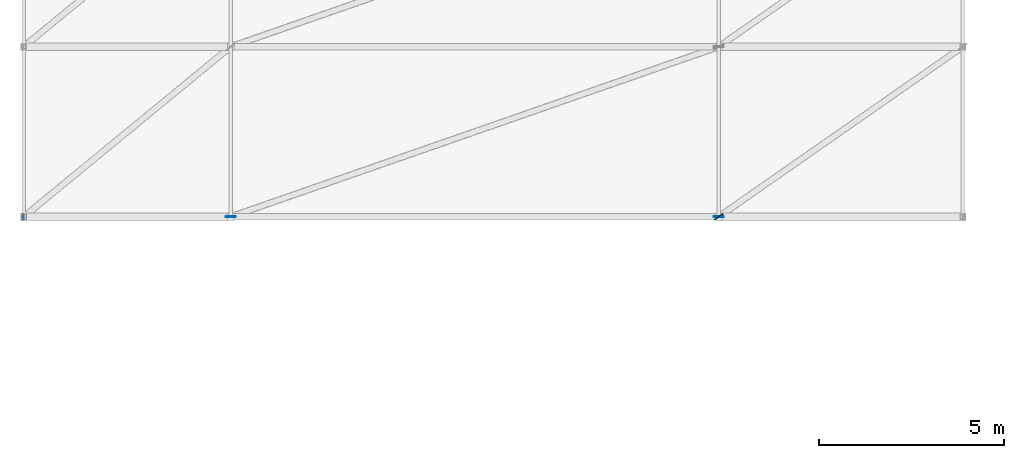
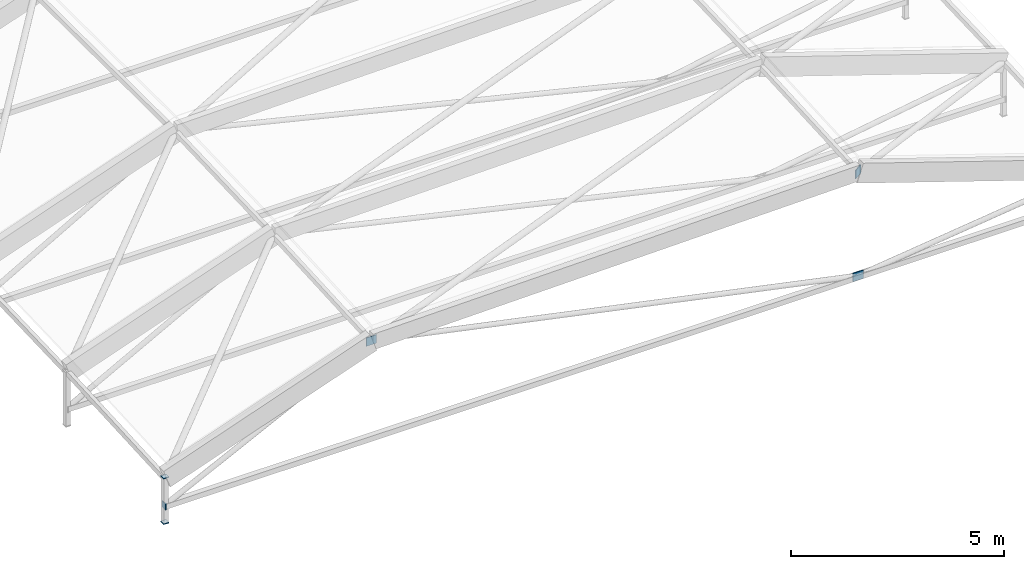
# One storey, part 102 of 134: 6 plates.
"""IFC4 building model written with IfcOpenShell, lengths in metres."""

from ifc_helpers import new_model, si_unit, direction, frame, origin, origin_2d, place, context, subcontext, project, spatial, rectangle, extrude, material, layer, layer_set, type_object, element, save


model = new_model("IFC4")

# Units and contexts
model_context = context("Model", 3, precision=1e-05, world=origin(), true_north=direction((0.0, 1.0)))
body_context = subcontext(model_context, "Body", "Model", "MODEL_VIEW")
ifc_project = project(units=[si_unit("LENGTHUNIT", "METRE"), si_unit("AREAUNIT", "SQUARE_METRE"), si_unit("VOLUMEUNIT", "CUBIC_METRE"), si_unit("PLANEANGLEUNIT", "RADIAN"), si_unit("MASSUNIT", "GRAM", prefix="KILO")], contexts=[model_context])

# Site, building, storey
site_placement = place(None, origin())
site = spatial("IfcSite", under=ifc_project, at=site_placement, CompositionType="ELEMENT")
building_placement = place(site_placement, origin())
building = spatial("IfcBuilding", under=site, at=building_placement, Name="Karori Crest Natural Sciences Institute", CompositionType="ELEMENT")
storey_placement = place(building_placement, frame((0.0, 0.0, 21.699951171875)))
storey = spatial("IfcBuildingStorey", under=building, at=storey_placement, Name="L05", CompositionType="ELEMENT", Elevation=21.699951171875)

# Plates
ifc_material = material(Name="Structural steel AS/NZS 3679.1 Grade 350", Category="steel")
ifc_layer_1 = layer(ifc_material, 0.02490234375, Name="Structural steel AS/NZS 3679.1 Grade 350")
ifc_layer_set_1 = layer_set([ifc_layer_1], Name="Structural steel AS/NZS 3679.1 Grade 350")
plate_type_1 = type_object("IfcPlateType", Name="PLT-06", PredefinedType="SHEET", material=ifc_layer_set_1)
plate_1_placement = place(storey_placement, frame((1.78759765625, 31.199951171875, 0.03515625), z_axis=(0.0, 0.0, 1.0), x_axis=(1.0, 0.0, 0.0)))
element("IfcPlate", 1, at=plate_1_placement, inside=storey, type_object=plate_type_1, Name="Hollow section end cap EP-0315", PredefinedType="SHEET", context=body_context, shape_type="SweptSolid", body=[
    extrude(rectangle(XDim=0.02490234375, YDim=0.169921875, at=origin_2d()), origin(), (0.0, 0.0, 1.0), 0.169921875),
])
for number, where, z_axis, x_axis, name in (
    (2, (7.39990234375, 31.199951171875, 2.76904296875), (0.0, 0.0, 1.0), (1.0, 0.0, 0.0), "Brace gusset plate EP-0317"),
    (3, (20.60009765625, 31.199951171875, 0.0), (0.0, 0.0, 1.0), (1.0, 0.0, 0.0), "Brace gusset plate EP-0319"),
):
    element("IfcPlate", number, at=place(storey_placement, frame(where, z_axis=z_axis, x_axis=x_axis)), inside=storey, type_object=plate_type_1, Name=name, PredefinedType="SHEET", context=body_context, shape_type="SweptSolid", body=[
        extrude(rectangle(XDim=0.280029296875, YDim=0.02490234375, at=origin_2d()), origin(), (0.0, 0.0, 1.0), 0.239990234375),
    ])
ifc_layer_2 = layer(ifc_material, 0.02490234375, Name="Structural steel AS/NZS 3679.1 Grade 350")
ifc_layer_set_2 = layer_set([ifc_layer_2], Name="Structural steel AS/NZS 3679.1 Grade 350")
plate_type_2 = type_object("IfcPlateType", Name="PLT-06-EL", PredefinedType="SHEET", material=ifc_layer_set_2)
for number, where, z_axis, x_axis, name in (
    (4, (1.800048828125, 31.199951171875, -0.375), (0.0, 0.0, 1.0), (1.0, 0.0, 0.0), "Hollow section end cap EP-0311"),
    (5, (1.800048828125, 31.199951171875, 0.93017578125), (0.0, 0.0, 1.0), (1.0, 0.0, 0.0), "Hollow section end cap EP-0312"),
):
    element("IfcPlate", number, at=place(storey_placement, frame(where, z_axis=z_axis, x_axis=x_axis)), inside=storey, type_object=plate_type_2, Name=name, PredefinedType="SHEET", context=body_context, shape_type="SweptSolid", body=[
        extrude(rectangle(XDim=0.14501953125, YDim=0.14501953125, at=origin_2d()), origin(), (0.0, 0.0, 1.0), 0.02490234375),
    ])
plate_2_placement = place(storey_placement, frame((20.60009765625, 31.199951171875, 2.982421875), z_axis=(0.0, 0.0, 1.0), x_axis=(0.82039844964, 0.571792255832, 0.0)))
element("IfcPlate", 6, at=plate_2_placement, inside=storey, type_object=plate_type_2, Name="Brace gusset plate EP-0321", PredefinedType="SHEET", context=body_context, shape_type="SweptSolid", body=[
    extrude(rectangle(XDim=0.280029296875, YDim=0.02490234375, at=origin_2d()), origin(), (0.0, 0.0, 1.0), 0.239990234375),
])

save(model, "model.ifc")
